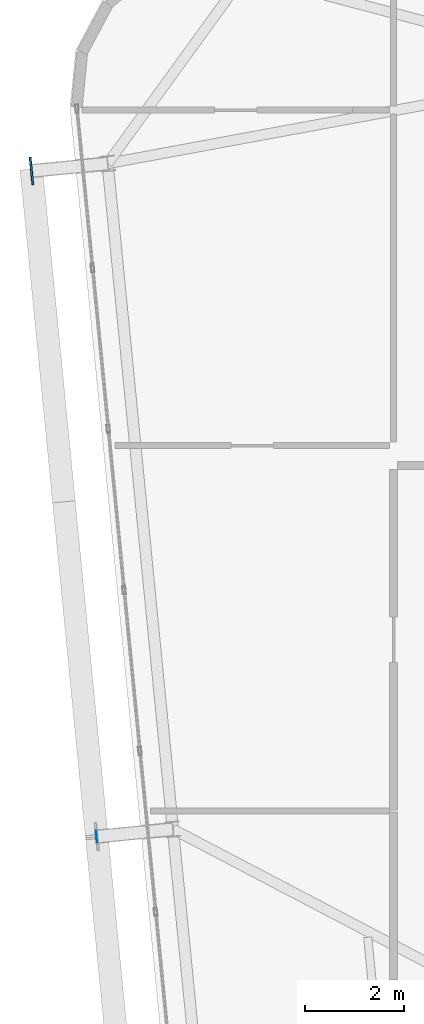
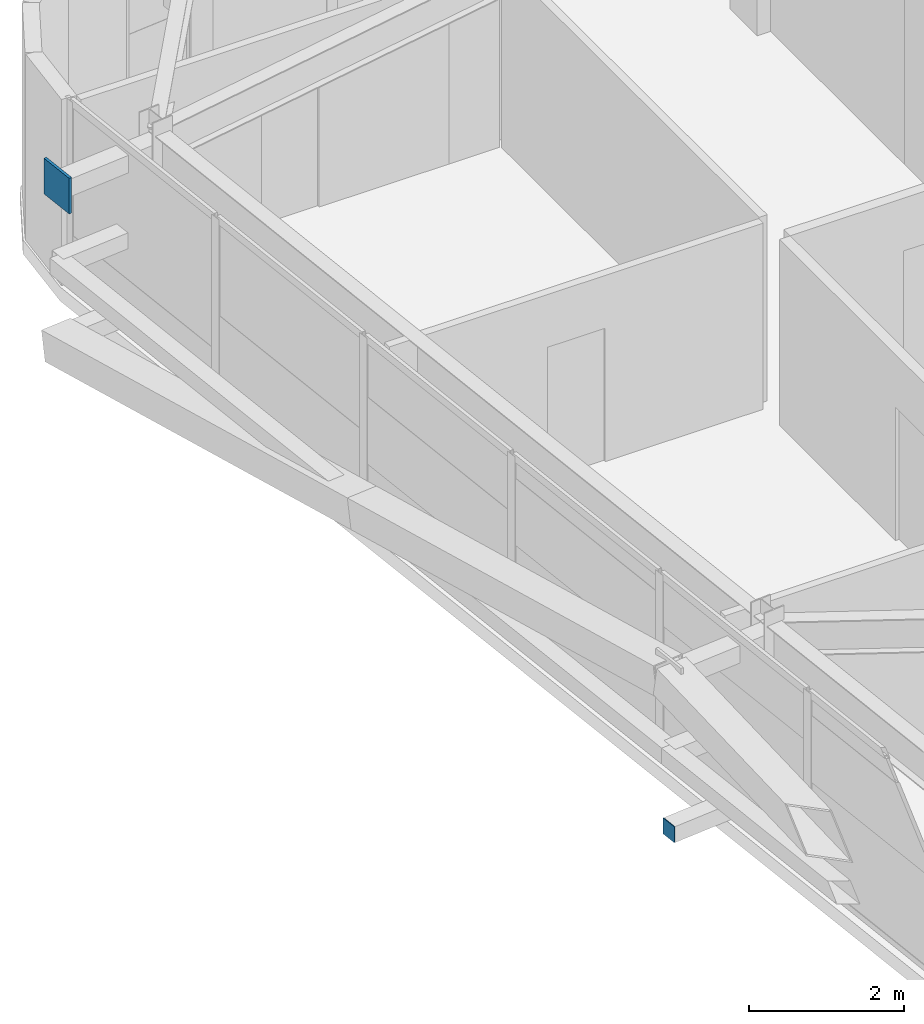
# One storey, part 40 of 52: 2 plates.
"""IFC4 building model written with IfcOpenShell, lengths in metres."""

from ifc_helpers import new_model, si_unit, direction, frame, origin, origin_2d, place, context, subcontext, project, spatial, rectangle, extrude, source, transform, mapped, material, layer, layer_set, type_object, element, save


model = new_model("IFC4")

# Units and contexts
model_context = context("Model", 3, precision=1e-05, world=origin(), true_north=direction((0.0, 1.0)))
body_context = subcontext(model_context, "Body", "Model", "MODEL_VIEW")
ifc_project = project(units=[si_unit("LENGTHUNIT", "METRE"), si_unit("AREAUNIT", "SQUARE_METRE"), si_unit("VOLUMEUNIT", "CUBIC_METRE"), si_unit("PLANEANGLEUNIT", "RADIAN"), si_unit("MASSUNIT", "GRAM", prefix="KILO")], contexts=[model_context])

# Site, building, storey
site_placement = place(None, origin())
site = spatial("IfcSite", under=ifc_project, at=site_placement, CompositionType="ELEMENT")
building_placement = place(site_placement, origin())
building = spatial("IfcBuilding", under=site, at=building_placement, Name="Taldren Reach Tower", CompositionType="ELEMENT")
storey_placement = place(building_placement, frame((0.0, 0.0, 93.449951171875)))
storey = spatial("IfcBuildingStorey", under=building, at=storey_placement, Name="L28", CompositionType="ELEMENT", Elevation=93.449951171875)

# Plates
ifc_material_1 = material(Name="Steel Gr 450 (C450L0)", Category="steel")
ifc_layer_1 = layer(ifc_material_1, 0.0400390625)
ifc_layer_set_1 = layer_set([ifc_layer_1], Name="Steel Gr 450 (C450L0)")
plate_type_1 = type_object("IfcPlateType", Name="PL-GUSSET-40", PredefinedType="SHEET", material=ifc_layer_set_1)
shared_shape_1 = source(origin(), body_context, "Body", "SweptSolid", [
    extrude(rectangle(XDim=0.56005859375, YDim=0.0400390625, at=origin_2d()), origin(), (0.0, 0.0, 1.0), 0.56005859375),
])
plate_1_placement = place(storey_placement, frame((7.265625, 29.965087890625, 2.3701171875), z_axis=(0.0, 0.0, 1.0), x_axis=(-0.097582899759, 0.995227399982, 0.0)))
element("IfcPlate", 1, at=plate_1_placement, inside=storey, type_object=plate_type_1, Name="Exoskeleton star-node gusset plate B2-W3 L28", PredefinedType="SHEET", context=body_context, shape_type="MappedRepresentation", body=[
    mapped(shared_shape_1, transform((0.0, 0.0, 0.0), scale=1.0)),
])
ifc_material_2 = material(Name="Steel Gr 350 (C350L0)", Category="steel")
ifc_layer_2 = layer(ifc_material_2, 0.011962890625)
ifc_layer_set_2 = layer_set([ifc_layer_2], Name="Steel Gr 350 (C350L0)")
plate_type_2 = type_object("IfcPlateType", Name="PL-CAP-250", PredefinedType="SHEET", material=ifc_layer_set_2)
shared_shape_2 = source(origin(), body_context, "Body", "SweptSolid", [
    extrude(rectangle(XDim=0.011962890625, YDim=0.25, at=origin_2d()), origin(), (0.0, 0.0, 1.0), 0.25),
])
plate_2_placement = place(storey_placement, frame((8.58203125, 16.479248046875, 0.094970703125), z_axis=(0.0, 0.0, 1.0), x_axis=(0.995227399982, 0.097582899759, 0.0)))
element("IfcPlate", 2, at=plate_2_placement, inside=storey, type_object=plate_type_2, Name="Tie strut end cap plate B2-W2 L28", PredefinedType="SHEET", context=body_context, shape_type="MappedRepresentation", body=[
    mapped(shared_shape_2, transform((0.0, 0.0, 0.0), scale=1.0)),
])

save(model, "model.ifc")
